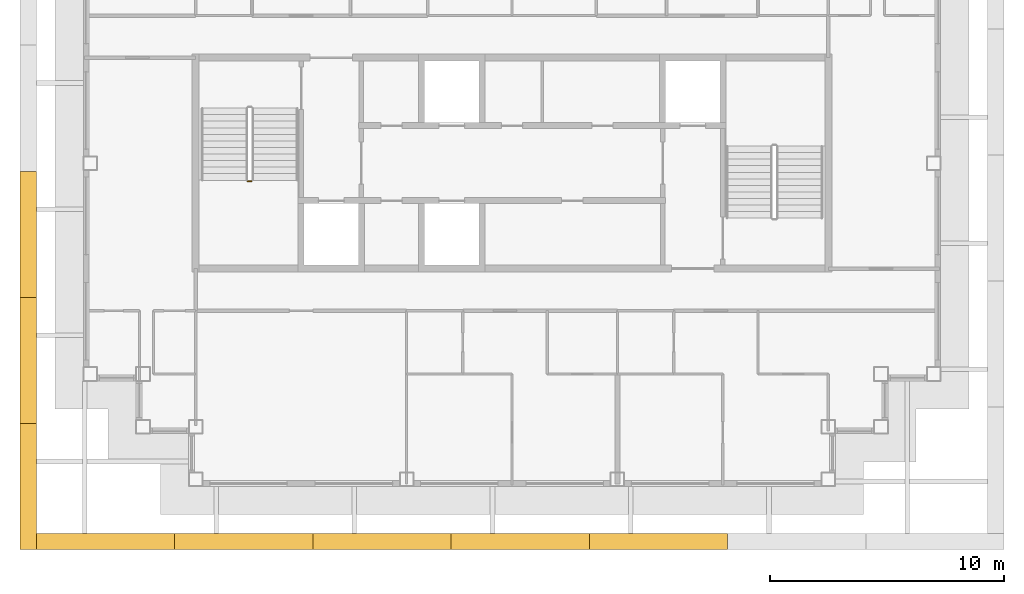
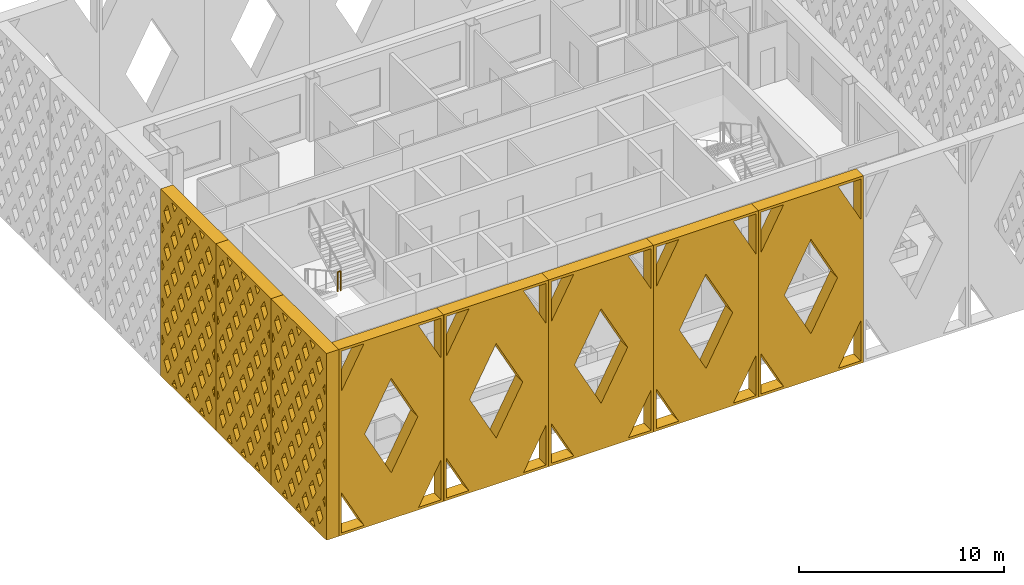
# One storey, part 9 of 13: 8 shading devices, 1 railing.
"""IFC4 building model written with IfcOpenShell, lengths in metres."""

from ifc_helpers import new_model, si_unit, direction, frame, origin, origin_2d, place, context, subcontext, project, spatial, polyline, circle, outline, extrude, material, type_object, element, save


model = new_model("IFC4")

# Units and contexts
model_context = context("Model", 3, precision=1e-05, world=origin(), true_north=direction((0.0, 1.0)))
body_context = subcontext(model_context, "Body", "Model", "MODEL_VIEW")
ifc_project = project(units=[si_unit("LENGTHUNIT", "METRE"), si_unit("AREAUNIT", "SQUARE_METRE"), si_unit("VOLUMEUNIT", "CUBIC_METRE"), si_unit("PLANEANGLEUNIT", "RADIAN"), si_unit("MASSUNIT", "GRAM", prefix="KILO")], contexts=[model_context])

# Site, building, storey
site_placement = place(None, origin())
site = spatial("IfcSite", under=ifc_project, at=site_placement, CompositionType="ELEMENT")
building_placement = place(site_placement, origin())
building = spatial("IfcBuilding", under=site, at=building_placement, Name="Caravel Reach Hotel and Residences", CompositionType="ELEMENT")
storey_placement = place(building_placement, frame((0.0, 0.0, 283.39990234375)))
storey = spatial("IfcBuildingStorey", under=building, at=storey_placement, Name="L72", CompositionType="ELEMENT", Elevation=283.39990234375)

# Shading devices
ifc_material_1 = material(Name="Black powder-coated aluminium", Category="aluminium")
shading_device_type_1 = type_object("IfcShadingDeviceType", Name="Diamond lattice screen panel 5383 x 11100", PredefinedType="USERDEFINED", material=ifc_material_1)
shading_device_1_placement = place(storey_placement, frame((11.199951171875, 26.64990234375, 0.0), z_axis=(-1.0, 0.0, 0.0), x_axis=(0.0, -1.0, 0.0)))
element("IfcShadingDevice", 1, at=shading_device_1_placement, inside=storey, type_object=shading_device_type_1, Name="Lattice screen L72-L74 3.4", ObjectType="SCREEN", PredefinedType="USERDEFINED", context=body_context, shape_type="SweptSolid", body=[
    extrude(outline(polyline([(0.0, 0.0), (5.38330078125, 0.0), (5.38330078125, 11.10009765625), (0.0, 11.10009765625), (0.0, 0.0)]), holes=[polyline([(0.338134765625, 2.219970703125), (0.14990234375, 2.530517578125), (0.14990234375, 1.90966796875), (0.338134765625, 2.219970703125)]), polyline([(0.338134765625, 4.43994140625), (0.14990234375, 4.75048828125), (0.14990234375, 4.129638671875), (0.338134765625, 4.43994140625)]), polyline([(0.338134765625, 6.659912109375), (0.14990234375, 6.970458984375), (0.14990234375, 6.349609375), (0.338134765625, 6.659912109375)]), polyline([(0.338134765625, 8.8798828125), (0.14990234375, 9.1904296875), (0.14990234375, 8.569580078125), (0.338134765625, 8.8798828125)]), polyline([(0.6728515625, 1.667724609375), (0.334716796875, 1.110107421875), (0.6728515625, 0.55224609375), (1.010986328125, 1.110107421875), (0.6728515625, 1.667724609375)]), polyline([(0.6728515625, 3.887939453125), (0.334716796875, 3.330078125), (0.6728515625, 2.772216796875), (1.010986328125, 3.330078125), (0.6728515625, 3.887939453125)]), polyline([(0.6728515625, 6.10791015625), (0.334716796875, 5.550048828125), (0.6728515625, 4.9921875), (1.010986328125, 5.550048828125), (0.6728515625, 6.10791015625)]), polyline([(0.6728515625, 8.327880859375), (0.334716796875, 7.77001953125), (0.6728515625, 7.212158203125), (1.010986328125, 7.77001953125), (0.6728515625, 8.327880859375)]), polyline([(0.6728515625, 10.5478515625), (0.334716796875, 9.989990234375), (0.6728515625, 9.43212890625), (1.010986328125, 9.989990234375), (0.6728515625, 10.5478515625)]), polyline([(1.345947265625, 0.557861328125), (1.0986328125, 0.14990234375), (1.593017578125, 0.14990234375), (1.345947265625, 0.557861328125)]), polyline([(1.345947265625, 2.77783203125), (1.007568359375, 2.219970703125), (1.345947265625, 1.662109375), (1.68408203125, 2.219970703125), (1.345947265625, 2.77783203125)]), polyline([(1.345947265625, 4.997802734375), (1.007568359375, 4.43994140625), (1.345947265625, 3.882080078125), (1.68408203125, 4.43994140625), (1.345947265625, 4.997802734375)]), polyline([(1.345947265625, 7.2177734375), (1.007568359375, 6.659912109375), (1.345947265625, 6.10205078125), (1.68408203125, 6.659912109375), (1.345947265625, 7.2177734375)]), polyline([(1.345947265625, 9.437744140625), (1.007568359375, 8.8798828125), (1.345947265625, 8.322265625), (1.68408203125, 8.8798828125), (1.345947265625, 9.437744140625)]), polyline([(1.345947265625, 10.542236328125), (1.593017578125, 10.949951171875), (1.0986328125, 10.949951171875), (1.345947265625, 10.542236328125)]), polyline([(2.018798828125, 1.667724609375), (1.6806640625, 1.110107421875), (2.018798828125, 0.55224609375), (2.35693359375, 1.110107421875), (2.018798828125, 1.667724609375)]), polyline([(2.018798828125, 3.887939453125), (1.6806640625, 3.330078125), (2.018798828125, 2.772216796875), (2.35693359375, 3.330078125), (2.018798828125, 3.887939453125)]), polyline([(2.018798828125, 6.10791015625), (1.6806640625, 5.550048828125), (2.018798828125, 4.9921875), (2.35693359375, 5.550048828125), (2.018798828125, 6.10791015625)]), polyline([(2.018798828125, 8.327880859375), (1.6806640625, 7.77001953125), (2.018798828125, 7.212158203125), (2.35693359375, 7.77001953125), (2.018798828125, 8.327880859375)]), polyline([(2.018798828125, 10.5478515625), (1.6806640625, 9.989990234375), (2.018798828125, 9.43212890625), (2.35693359375, 9.989990234375), (2.018798828125, 10.5478515625)]), polyline([(2.691650390625, 0.557861328125), (2.4443359375, 0.14990234375), (2.93896484375, 0.14990234375), (2.691650390625, 0.557861328125)]), polyline([(2.691650390625, 2.77783203125), (2.353515625, 2.219970703125), (2.691650390625, 1.662109375), (3.02978515625, 2.219970703125), (2.691650390625, 2.77783203125)]), polyline([(2.691650390625, 4.997802734375), (2.353515625, 4.43994140625), (2.691650390625, 3.882080078125), (3.02978515625, 4.43994140625), (2.691650390625, 4.997802734375)]), polyline([(2.691650390625, 7.2177734375), (2.353515625, 6.659912109375), (2.691650390625, 6.10205078125), (3.02978515625, 6.659912109375), (2.691650390625, 7.2177734375)]), polyline([(2.691650390625, 9.437744140625), (2.353515625, 8.8798828125), (2.691650390625, 8.322265625), (3.02978515625, 8.8798828125), (2.691650390625, 9.437744140625)]), polyline([(2.691650390625, 10.542236328125), (2.93896484375, 10.949951171875), (2.4443359375, 10.949951171875), (2.691650390625, 10.542236328125)]), polyline([(3.364501953125, 1.667724609375), (3.0263671875, 1.110107421875), (3.364501953125, 0.55224609375), (3.702880859375, 1.110107421875), (3.364501953125, 1.667724609375)]), polyline([(3.364501953125, 3.887939453125), (3.0263671875, 3.330078125), (3.364501953125, 2.772216796875), (3.702880859375, 3.330078125), (3.364501953125, 3.887939453125)]), polyline([(3.364501953125, 6.10791015625), (3.0263671875, 5.550048828125), (3.364501953125, 4.9921875), (3.702880859375, 5.550048828125), (3.364501953125, 6.10791015625)]), polyline([(3.364501953125, 8.327880859375), (3.0263671875, 7.77001953125), (3.364501953125, 7.212158203125), (3.702880859375, 7.77001953125), (3.364501953125, 8.327880859375)]), polyline([(3.364501953125, 10.5478515625), (3.0263671875, 9.989990234375), (3.364501953125, 9.43212890625), (3.702880859375, 9.989990234375), (3.364501953125, 10.5478515625)]), polyline([(4.03759765625, 0.557861328125), (3.790283203125, 0.14990234375), (4.28466796875, 0.14990234375), (4.03759765625, 0.557861328125)]), polyline([(4.03759765625, 2.77783203125), (3.69921875, 2.219970703125), (4.03759765625, 1.662109375), (4.375732421875, 2.219970703125), (4.03759765625, 2.77783203125)]), polyline([(4.03759765625, 4.997802734375), (3.69921875, 4.43994140625), (4.03759765625, 3.882080078125), (4.375732421875, 4.43994140625), (4.03759765625, 4.997802734375)]), polyline([(4.03759765625, 7.2177734375), (3.69921875, 6.659912109375), (4.03759765625, 6.10205078125), (4.375732421875, 6.659912109375), (4.03759765625, 7.2177734375)]), polyline([(4.03759765625, 9.437744140625), (3.69921875, 8.8798828125), (4.03759765625, 8.322265625), (4.375732421875, 8.8798828125), (4.03759765625, 9.437744140625)]), polyline([(4.03759765625, 10.542236328125), (4.28466796875, 10.949951171875), (3.790283203125, 10.949951171875), (4.03759765625, 10.542236328125)]), polyline([(4.71044921875, 1.667724609375), (4.372314453125, 1.110107421875), (4.71044921875, 0.55224609375), (5.048583984375, 1.110107421875), (4.71044921875, 1.667724609375)]), polyline([(4.71044921875, 3.887939453125), (4.372314453125, 3.330078125), (4.71044921875, 2.772216796875), (5.048583984375, 3.330078125), (4.71044921875, 3.887939453125)]), polyline([(4.71044921875, 6.10791015625), (4.372314453125, 5.550048828125), (4.71044921875, 4.9921875), (5.048583984375, 5.550048828125), (4.71044921875, 6.10791015625)]), polyline([(4.71044921875, 8.327880859375), (4.372314453125, 7.77001953125), (4.71044921875, 7.212158203125), (5.048583984375, 7.77001953125), (4.71044921875, 8.327880859375)]), polyline([(4.71044921875, 10.5478515625), (4.372314453125, 9.989990234375), (4.71044921875, 9.43212890625), (5.048583984375, 9.989990234375), (4.71044921875, 10.5478515625)]), polyline([(5.045166015625, 2.219970703125), (5.2333984375, 1.90966796875), (5.2333984375, 2.530517578125), (5.045166015625, 2.219970703125)]), polyline([(5.045166015625, 4.43994140625), (5.2333984375, 4.129638671875), (5.2333984375, 4.75048828125), (5.045166015625, 4.43994140625)]), polyline([(5.045166015625, 6.659912109375), (5.2333984375, 6.349609375), (5.2333984375, 6.970458984375), (5.045166015625, 6.659912109375)]), polyline([(5.045166015625, 8.8798828125), (5.2333984375, 8.569580078125), (5.2333984375, 9.1904296875), (5.045166015625, 8.8798828125)])]), origin(), (0.0, 0.0, 1.0), 0.699951171875),
])
shading_device_2_placement = place(storey_placement, frame((11.199951171875, 21.2666015625, 0.0), z_axis=(-1.0, 0.0, 0.0), x_axis=(0.0, -1.0, 0.0)))
element("IfcShadingDevice", 2, at=shading_device_2_placement, inside=storey, type_object=shading_device_type_1, Name="Lattice screen L72-L74 3.5", ObjectType="SCREEN", PredefinedType="USERDEFINED", context=body_context, shape_type="SweptSolid", body=[
    extrude(outline(polyline([(0.0, 0.0), (5.38330078125, 0.0), (5.38330078125, 11.10009765625), (0.0, 11.10009765625), (0.0, 0.0)]), holes=[polyline([(0.338134765625, 2.219970703125), (0.14990234375, 2.530517578125), (0.14990234375, 1.90966796875), (0.338134765625, 2.219970703125)]), polyline([(0.338134765625, 4.43994140625), (0.14990234375, 4.75048828125), (0.14990234375, 4.129638671875), (0.338134765625, 4.43994140625)]), polyline([(0.338134765625, 6.659912109375), (0.14990234375, 6.970458984375), (0.14990234375, 6.349609375), (0.338134765625, 6.659912109375)]), polyline([(0.338134765625, 8.8798828125), (0.14990234375, 9.1904296875), (0.14990234375, 8.569580078125), (0.338134765625, 8.8798828125)]), polyline([(0.6728515625, 1.667724609375), (0.334716796875, 1.110107421875), (0.6728515625, 0.55224609375), (1.010986328125, 1.110107421875), (0.6728515625, 1.667724609375)]), polyline([(0.6728515625, 3.887939453125), (0.334716796875, 3.330078125), (0.6728515625, 2.772216796875), (1.010986328125, 3.330078125), (0.6728515625, 3.887939453125)]), polyline([(0.6728515625, 6.10791015625), (0.334716796875, 5.550048828125), (0.6728515625, 4.9921875), (1.010986328125, 5.550048828125), (0.6728515625, 6.10791015625)]), polyline([(0.6728515625, 8.327880859375), (0.334716796875, 7.77001953125), (0.6728515625, 7.212158203125), (1.010986328125, 7.77001953125), (0.6728515625, 8.327880859375)]), polyline([(0.6728515625, 10.5478515625), (0.334716796875, 9.989990234375), (0.6728515625, 9.43212890625), (1.010986328125, 9.989990234375), (0.6728515625, 10.5478515625)]), polyline([(1.345947265625, 0.557861328125), (1.0986328125, 0.14990234375), (1.593017578125, 0.14990234375), (1.345947265625, 0.557861328125)]), polyline([(1.345947265625, 2.77783203125), (1.007568359375, 2.219970703125), (1.345947265625, 1.662109375), (1.68408203125, 2.219970703125), (1.345947265625, 2.77783203125)]), polyline([(1.345947265625, 4.997802734375), (1.007568359375, 4.43994140625), (1.345947265625, 3.882080078125), (1.68408203125, 4.43994140625), (1.345947265625, 4.997802734375)]), polyline([(1.345947265625, 7.2177734375), (1.007568359375, 6.659912109375), (1.345947265625, 6.10205078125), (1.68408203125, 6.659912109375), (1.345947265625, 7.2177734375)]), polyline([(1.345947265625, 9.437744140625), (1.007568359375, 8.8798828125), (1.345947265625, 8.322265625), (1.68408203125, 8.8798828125), (1.345947265625, 9.437744140625)]), polyline([(1.345947265625, 10.542236328125), (1.593017578125, 10.949951171875), (1.0986328125, 10.949951171875), (1.345947265625, 10.542236328125)]), polyline([(2.018798828125, 1.667724609375), (1.6806640625, 1.110107421875), (2.018798828125, 0.55224609375), (2.35693359375, 1.110107421875), (2.018798828125, 1.667724609375)]), polyline([(2.018798828125, 3.887939453125), (1.6806640625, 3.330078125), (2.018798828125, 2.772216796875), (2.35693359375, 3.330078125), (2.018798828125, 3.887939453125)]), polyline([(2.018798828125, 6.10791015625), (1.6806640625, 5.550048828125), (2.018798828125, 4.9921875), (2.35693359375, 5.550048828125), (2.018798828125, 6.10791015625)]), polyline([(2.018798828125, 8.327880859375), (1.6806640625, 7.77001953125), (2.018798828125, 7.212158203125), (2.35693359375, 7.77001953125), (2.018798828125, 8.327880859375)]), polyline([(2.018798828125, 10.5478515625), (1.6806640625, 9.989990234375), (2.018798828125, 9.43212890625), (2.35693359375, 9.989990234375), (2.018798828125, 10.5478515625)]), polyline([(2.691650390625, 0.557861328125), (2.4443359375, 0.14990234375), (2.93896484375, 0.14990234375), (2.691650390625, 0.557861328125)]), polyline([(2.691650390625, 2.77783203125), (2.353515625, 2.219970703125), (2.691650390625, 1.662109375), (3.02978515625, 2.219970703125), (2.691650390625, 2.77783203125)]), polyline([(2.691650390625, 4.997802734375), (2.353515625, 4.43994140625), (2.691650390625, 3.882080078125), (3.02978515625, 4.43994140625), (2.691650390625, 4.997802734375)]), polyline([(2.691650390625, 7.2177734375), (2.353515625, 6.659912109375), (2.691650390625, 6.10205078125), (3.02978515625, 6.659912109375), (2.691650390625, 7.2177734375)]), polyline([(2.691650390625, 9.437744140625), (2.353515625, 8.8798828125), (2.691650390625, 8.322265625), (3.02978515625, 8.8798828125), (2.691650390625, 9.437744140625)]), polyline([(2.691650390625, 10.542236328125), (2.93896484375, 10.949951171875), (2.4443359375, 10.949951171875), (2.691650390625, 10.542236328125)]), polyline([(3.364501953125, 1.667724609375), (3.0263671875, 1.110107421875), (3.364501953125, 0.55224609375), (3.702880859375, 1.110107421875), (3.364501953125, 1.667724609375)]), polyline([(3.364501953125, 3.887939453125), (3.0263671875, 3.330078125), (3.364501953125, 2.772216796875), (3.702880859375, 3.330078125), (3.364501953125, 3.887939453125)]), polyline([(3.364501953125, 6.10791015625), (3.0263671875, 5.550048828125), (3.364501953125, 4.9921875), (3.702880859375, 5.550048828125), (3.364501953125, 6.10791015625)]), polyline([(3.364501953125, 8.327880859375), (3.0263671875, 7.77001953125), (3.364501953125, 7.212158203125), (3.702880859375, 7.77001953125), (3.364501953125, 8.327880859375)]), polyline([(3.364501953125, 10.5478515625), (3.0263671875, 9.989990234375), (3.364501953125, 9.43212890625), (3.702880859375, 9.989990234375), (3.364501953125, 10.5478515625)]), polyline([(4.03759765625, 0.557861328125), (3.790283203125, 0.14990234375), (4.28466796875, 0.14990234375), (4.03759765625, 0.557861328125)]), polyline([(4.03759765625, 2.77783203125), (3.69921875, 2.219970703125), (4.03759765625, 1.662109375), (4.375732421875, 2.219970703125), (4.03759765625, 2.77783203125)]), polyline([(4.03759765625, 4.997802734375), (3.69921875, 4.43994140625), (4.03759765625, 3.882080078125), (4.375732421875, 4.43994140625), (4.03759765625, 4.997802734375)]), polyline([(4.03759765625, 7.2177734375), (3.69921875, 6.659912109375), (4.03759765625, 6.10205078125), (4.375732421875, 6.659912109375), (4.03759765625, 7.2177734375)]), polyline([(4.03759765625, 9.437744140625), (3.69921875, 8.8798828125), (4.03759765625, 8.322265625), (4.375732421875, 8.8798828125), (4.03759765625, 9.437744140625)]), polyline([(4.03759765625, 10.542236328125), (4.28466796875, 10.949951171875), (3.790283203125, 10.949951171875), (4.03759765625, 10.542236328125)]), polyline([(4.71044921875, 1.667724609375), (4.372314453125, 1.110107421875), (4.71044921875, 0.55224609375), (5.048583984375, 1.110107421875), (4.71044921875, 1.667724609375)]), polyline([(4.71044921875, 3.887939453125), (4.372314453125, 3.330078125), (4.71044921875, 2.772216796875), (5.048583984375, 3.330078125), (4.71044921875, 3.887939453125)]), polyline([(4.71044921875, 6.10791015625), (4.372314453125, 5.550048828125), (4.71044921875, 4.9921875), (5.048583984375, 5.550048828125), (4.71044921875, 6.10791015625)]), polyline([(4.71044921875, 8.327880859375), (4.372314453125, 7.77001953125), (4.71044921875, 7.212158203125), (5.048583984375, 7.77001953125), (4.71044921875, 8.327880859375)]), polyline([(4.71044921875, 10.5478515625), (4.372314453125, 9.989990234375), (4.71044921875, 9.43212890625), (5.048583984375, 9.989990234375), (4.71044921875, 10.5478515625)]), polyline([(5.045166015625, 2.219970703125), (5.2333984375, 1.90966796875), (5.2333984375, 2.530517578125), (5.045166015625, 2.219970703125)]), polyline([(5.045166015625, 4.43994140625), (5.2333984375, 4.129638671875), (5.2333984375, 4.75048828125), (5.045166015625, 4.43994140625)]), polyline([(5.045166015625, 6.659912109375), (5.2333984375, 6.349609375), (5.2333984375, 6.970458984375), (5.045166015625, 6.659912109375)]), polyline([(5.045166015625, 8.8798828125), (5.2333984375, 8.569580078125), (5.2333984375, 9.1904296875), (5.045166015625, 8.8798828125)])]), origin(), (0.0, 0.0, 1.0), 0.699951171875),
])
shading_device_3_placement = place(storey_placement, frame((11.199951171875, 15.88330078125, 0.0), z_axis=(-1.0, 0.0, 0.0), x_axis=(0.0, -1.0, 0.0)))
element("IfcShadingDevice", 3, at=shading_device_3_placement, inside=storey, type_object=shading_device_type_1, Name="Lattice screen L72-L74 3.6", ObjectType="SCREEN", PredefinedType="USERDEFINED", context=body_context, shape_type="SweptSolid", body=[
    extrude(outline(polyline([(0.0, 0.0), (5.38330078125, 0.0), (5.38330078125, 11.10009765625), (0.0, 11.10009765625), (0.0, 0.0)]), holes=[polyline([(0.338134765625, 2.219970703125), (0.14990234375, 2.530517578125), (0.14990234375, 1.90966796875), (0.338134765625, 2.219970703125)]), polyline([(0.338134765625, 4.43994140625), (0.14990234375, 4.75048828125), (0.14990234375, 4.129638671875), (0.338134765625, 4.43994140625)]), polyline([(0.338134765625, 6.659912109375), (0.14990234375, 6.970458984375), (0.14990234375, 6.349609375), (0.338134765625, 6.659912109375)]), polyline([(0.338134765625, 8.8798828125), (0.14990234375, 9.1904296875), (0.14990234375, 8.569580078125), (0.338134765625, 8.8798828125)]), polyline([(0.6728515625, 1.667724609375), (0.334716796875, 1.110107421875), (0.6728515625, 0.55224609375), (1.010986328125, 1.110107421875), (0.6728515625, 1.667724609375)]), polyline([(0.6728515625, 3.887939453125), (0.334716796875, 3.330078125), (0.6728515625, 2.772216796875), (1.010986328125, 3.330078125), (0.6728515625, 3.887939453125)]), polyline([(0.6728515625, 6.10791015625), (0.334716796875, 5.550048828125), (0.6728515625, 4.9921875), (1.010986328125, 5.550048828125), (0.6728515625, 6.10791015625)]), polyline([(0.6728515625, 8.327880859375), (0.334716796875, 7.77001953125), (0.6728515625, 7.212158203125), (1.010986328125, 7.77001953125), (0.6728515625, 8.327880859375)]), polyline([(0.6728515625, 10.5478515625), (0.334716796875, 9.989990234375), (0.6728515625, 9.43212890625), (1.010986328125, 9.989990234375), (0.6728515625, 10.5478515625)]), polyline([(1.345947265625, 0.557861328125), (1.0986328125, 0.14990234375), (1.593017578125, 0.14990234375), (1.345947265625, 0.557861328125)]), polyline([(1.345947265625, 2.77783203125), (1.007568359375, 2.219970703125), (1.345947265625, 1.662109375), (1.68408203125, 2.219970703125), (1.345947265625, 2.77783203125)]), polyline([(1.345947265625, 4.997802734375), (1.007568359375, 4.43994140625), (1.345947265625, 3.882080078125), (1.68408203125, 4.43994140625), (1.345947265625, 4.997802734375)]), polyline([(1.345947265625, 7.2177734375), (1.007568359375, 6.659912109375), (1.345947265625, 6.10205078125), (1.68408203125, 6.659912109375), (1.345947265625, 7.2177734375)]), polyline([(1.345947265625, 9.437744140625), (1.007568359375, 8.8798828125), (1.345947265625, 8.322265625), (1.68408203125, 8.8798828125), (1.345947265625, 9.437744140625)]), polyline([(1.345947265625, 10.542236328125), (1.593017578125, 10.949951171875), (1.0986328125, 10.949951171875), (1.345947265625, 10.542236328125)]), polyline([(2.018798828125, 1.667724609375), (1.6806640625, 1.110107421875), (2.018798828125, 0.55224609375), (2.35693359375, 1.110107421875), (2.018798828125, 1.667724609375)]), polyline([(2.018798828125, 3.887939453125), (1.6806640625, 3.330078125), (2.018798828125, 2.772216796875), (2.35693359375, 3.330078125), (2.018798828125, 3.887939453125)]), polyline([(2.018798828125, 6.10791015625), (1.6806640625, 5.550048828125), (2.018798828125, 4.9921875), (2.35693359375, 5.550048828125), (2.018798828125, 6.10791015625)]), polyline([(2.018798828125, 8.327880859375), (1.6806640625, 7.77001953125), (2.018798828125, 7.212158203125), (2.35693359375, 7.77001953125), (2.018798828125, 8.327880859375)]), polyline([(2.018798828125, 10.5478515625), (1.6806640625, 9.989990234375), (2.018798828125, 9.43212890625), (2.35693359375, 9.989990234375), (2.018798828125, 10.5478515625)]), polyline([(2.691650390625, 0.557861328125), (2.4443359375, 0.14990234375), (2.93896484375, 0.14990234375), (2.691650390625, 0.557861328125)]), polyline([(2.691650390625, 2.77783203125), (2.353515625, 2.219970703125), (2.691650390625, 1.662109375), (3.02978515625, 2.219970703125), (2.691650390625, 2.77783203125)]), polyline([(2.691650390625, 4.997802734375), (2.353515625, 4.43994140625), (2.691650390625, 3.882080078125), (3.02978515625, 4.43994140625), (2.691650390625, 4.997802734375)]), polyline([(2.691650390625, 7.2177734375), (2.353515625, 6.659912109375), (2.691650390625, 6.10205078125), (3.02978515625, 6.659912109375), (2.691650390625, 7.2177734375)]), polyline([(2.691650390625, 9.437744140625), (2.353515625, 8.8798828125), (2.691650390625, 8.322265625), (3.02978515625, 8.8798828125), (2.691650390625, 9.437744140625)]), polyline([(2.691650390625, 10.542236328125), (2.93896484375, 10.949951171875), (2.4443359375, 10.949951171875), (2.691650390625, 10.542236328125)]), polyline([(3.364501953125, 1.667724609375), (3.0263671875, 1.110107421875), (3.364501953125, 0.55224609375), (3.702880859375, 1.110107421875), (3.364501953125, 1.667724609375)]), polyline([(3.364501953125, 3.887939453125), (3.0263671875, 3.330078125), (3.364501953125, 2.772216796875), (3.702880859375, 3.330078125), (3.364501953125, 3.887939453125)]), polyline([(3.364501953125, 6.10791015625), (3.0263671875, 5.550048828125), (3.364501953125, 4.9921875), (3.702880859375, 5.550048828125), (3.364501953125, 6.10791015625)]), polyline([(3.364501953125, 8.327880859375), (3.0263671875, 7.77001953125), (3.364501953125, 7.212158203125), (3.702880859375, 7.77001953125), (3.364501953125, 8.327880859375)]), polyline([(3.364501953125, 10.5478515625), (3.0263671875, 9.989990234375), (3.364501953125, 9.43212890625), (3.702880859375, 9.989990234375), (3.364501953125, 10.5478515625)]), polyline([(4.03759765625, 0.557861328125), (3.790283203125, 0.14990234375), (4.28466796875, 0.14990234375), (4.03759765625, 0.557861328125)]), polyline([(4.03759765625, 2.77783203125), (3.69921875, 2.219970703125), (4.03759765625, 1.662109375), (4.375732421875, 2.219970703125), (4.03759765625, 2.77783203125)]), polyline([(4.03759765625, 4.997802734375), (3.69921875, 4.43994140625), (4.03759765625, 3.882080078125), (4.375732421875, 4.43994140625), (4.03759765625, 4.997802734375)]), polyline([(4.03759765625, 7.2177734375), (3.69921875, 6.659912109375), (4.03759765625, 6.10205078125), (4.375732421875, 6.659912109375), (4.03759765625, 7.2177734375)]), polyline([(4.03759765625, 9.437744140625), (3.69921875, 8.8798828125), (4.03759765625, 8.322265625), (4.375732421875, 8.8798828125), (4.03759765625, 9.437744140625)]), polyline([(4.03759765625, 10.542236328125), (4.28466796875, 10.949951171875), (3.790283203125, 10.949951171875), (4.03759765625, 10.542236328125)]), polyline([(4.71044921875, 1.667724609375), (4.372314453125, 1.110107421875), (4.71044921875, 0.55224609375), (5.048583984375, 1.110107421875), (4.71044921875, 1.667724609375)]), polyline([(4.71044921875, 3.887939453125), (4.372314453125, 3.330078125), (4.71044921875, 2.772216796875), (5.048583984375, 3.330078125), (4.71044921875, 3.887939453125)]), polyline([(4.71044921875, 6.10791015625), (4.372314453125, 5.550048828125), (4.71044921875, 4.9921875), (5.048583984375, 5.550048828125), (4.71044921875, 6.10791015625)]), polyline([(4.71044921875, 8.327880859375), (4.372314453125, 7.77001953125), (4.71044921875, 7.212158203125), (5.048583984375, 7.77001953125), (4.71044921875, 8.327880859375)]), polyline([(4.71044921875, 10.5478515625), (4.372314453125, 9.989990234375), (4.71044921875, 9.43212890625), (5.048583984375, 9.989990234375), (4.71044921875, 10.5478515625)]), polyline([(5.045166015625, 2.219970703125), (5.2333984375, 1.90966796875), (5.2333984375, 2.530517578125), (5.045166015625, 2.219970703125)]), polyline([(5.045166015625, 4.43994140625), (5.2333984375, 4.129638671875), (5.2333984375, 4.75048828125), (5.045166015625, 4.43994140625)]), polyline([(5.045166015625, 6.659912109375), (5.2333984375, 6.349609375), (5.2333984375, 6.970458984375), (5.045166015625, 6.659912109375)]), polyline([(5.045166015625, 8.8798828125), (5.2333984375, 8.569580078125), (5.2333984375, 9.1904296875), (5.045166015625, 8.8798828125)])]), origin(), (0.0, 0.0, 1.0), 0.699951171875),
])
ifc_material_2 = material(Name="Black powder-coated aluminium", Category="aluminium")
shading_device_type_2 = type_object("IfcShadingDeviceType", Name="Diamond lattice screen panel 5900 x 11100", PredefinedType="USERDEFINED", material=ifc_material_2)
for number, where, z_axis, x_axis, name in (
    (4, (11.199951171875, 11.199951171875, 0.0), (0.0, -1.0, 0.0), (1.0, 0.0, 0.0), "Lattice screen L72-L74 4.1"),
    (5, (17.10009765625, 11.199951171875, 0.0), (0.0, -1.0, 0.0), (1.0, 0.0, 0.0), "Lattice screen L72-L74 4.2"),
    (6, (23.0, 11.199951171875, 0.0), (0.0, -1.0, 0.0), (1.0, 0.0, 0.0), "Lattice screen L72-L74 4.3"),
    (7, (28.89990234375, 11.199951171875, 0.0), (0.0, -1.0, 0.0), (1.0, 0.0, 0.0), "Lattice screen L72-L74 4.4"),
    (8, (34.800048828125, 11.199951171875, 0.0), (0.0, -1.0, 0.0), (1.0, 0.0, 0.0), "Lattice screen L72-L74 4.5"),
):
    element("IfcShadingDevice", number, at=place(storey_placement, frame(where, z_axis=z_axis, x_axis=x_axis)), inside=storey, type_object=shading_device_type_2, Name=name, ObjectType="SCREEN", PredefinedType="USERDEFINED", context=body_context, shape_type="SweptSolid", body=[
        extrude(outline(polyline([(0.0, 0.0), (5.89990234375, 0.0), (5.89990234375, 11.10009765625), (0.0, 11.10009765625), (0.0, 0.0)]), holes=[polyline([(1.4140625, 0.14990234375), (0.14990234375, 2.528076171875), (0.14990234375, 0.14990234375), (1.4140625, 0.14990234375)]), polyline([(0.14990234375, 8.572021484375), (1.4140625, 10.949951171875), (0.14990234375, 10.949951171875), (0.14990234375, 8.572021484375)]), polyline([(2.949951171875, 8.3603515625), (1.456298828125, 5.550048828125), (2.949951171875, 2.73974609375), (4.44384765625, 5.550048828125), (2.949951171875, 8.3603515625)]), polyline([(5.75, 2.528076171875), (4.486083984375, 0.14990234375), (5.75, 0.14990234375), (5.75, 2.528076171875)]), polyline([(4.486083984375, 10.949951171875), (5.75, 8.572021484375), (5.75, 10.949951171875), (4.486083984375, 10.949951171875)])]), origin(), (0.0, 0.0, 1.0), 0.699951171875),
    ])

# Railing
ifc_material_3 = material(Name="Steel balustrade with glass infill", Category="steel")
railing_type = type_object("IfcRailingType", Name="Guard 1200", PredefinedType="GUARDRAIL", material=ifc_material_3)
railing_placement = place(storey_placement, frame((20.22509765625, 26.219970703125, 1.85009765625)))
element("IfcRailing", 9, at=railing_placement, inside=storey, type_object=railing_type, Name="L72 ST-A stair guard 2", PredefinedType="GUARDRAIL", context=body_context, shape_type="SweptSolid", body=[
    extrude(circle(Radius=0.02392578125, at=origin_2d()), frame((0.0, 0.0, 1.17578125), z_axis=(1.0, 0.0, 0.0), x_axis=(0.0, 1.0, 0.0)), (0.0, 0.0, 1.0), 0.14990234375),
    extrude(circle(Radius=0.02099609375, at=origin_2d()), origin(), (0.0, 0.0, 1.0), 1.15185546875),
    extrude(circle(Radius=0.02099609375, at=origin_2d()), frame((0.14990234375, 0.0, 0.0)), (0.0, 0.0, 1.0), 1.15185546875),
])

save(model, "model.ifc")
